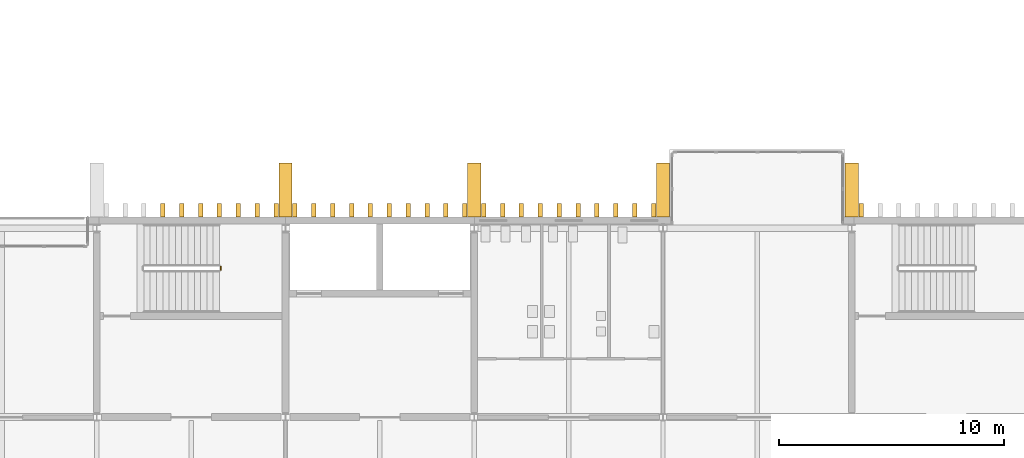
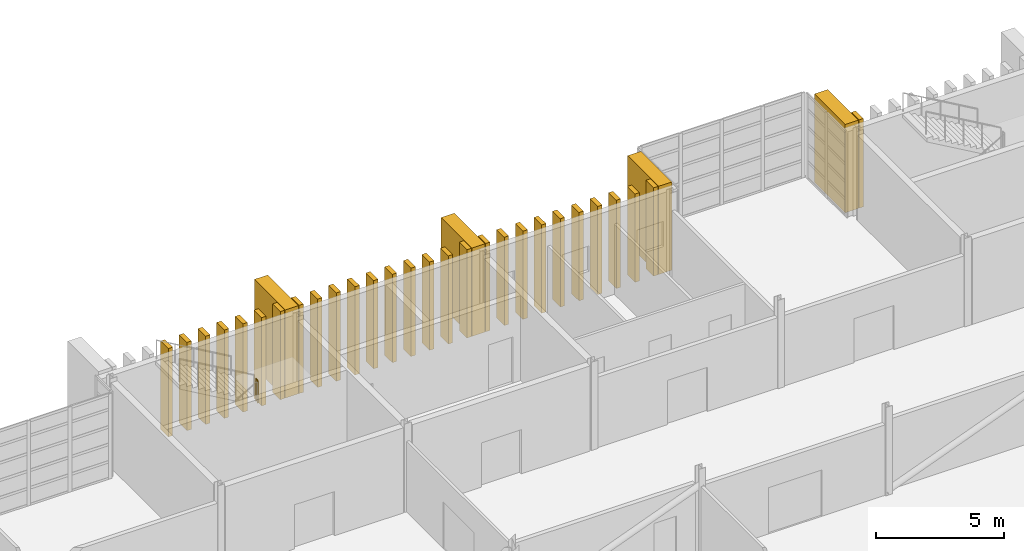
# One storey, part 94 of 100: 32 coverings, 1 railing.
"""IFC4 building model written with IfcOpenShell, lengths in metres."""

from ifc_helpers import new_model, si_unit, direction, frame, origin, origin_2d, place, context, subcontext, project, spatial, rectangle, circle, extrude, material, type_object, element, save


model = new_model("IFC4")

# Units and contexts
model_context = context("Model", 3, precision=1e-05, world=origin(), true_north=direction((0.0, 1.0)))
body_context = subcontext(model_context, "Body", "Model", "MODEL_VIEW")
ifc_project = project(units=[si_unit("LENGTHUNIT", "METRE"), si_unit("AREAUNIT", "SQUARE_METRE"), si_unit("VOLUMEUNIT", "CUBIC_METRE"), si_unit("PLANEANGLEUNIT", "RADIAN"), si_unit("MASSUNIT", "GRAM", prefix="KILO")], contexts=[model_context])

# Site, building, storey
site_placement = place(None, origin())
site = spatial("IfcSite", under=ifc_project, at=site_placement, CompositionType="ELEMENT")
building_placement = place(site_placement, origin())
building = spatial("IfcBuilding", under=site, at=building_placement, Name="Cresset Court Congress Hotel", CompositionType="ELEMENT")
storey_placement = place(building_placement, frame((0.0, 0.0, 10.199951171875)))
storey = spatial("IfcBuildingStorey", under=building, at=storey_placement, Name="L02", CompositionType="ELEMENT", Elevation=10.199951171875)

# Railing
ifc_material_1 = material(Name="Steel and laminated glass", Category="steel")
railing_type = type_object("IfcRailingType", Name="Guard 1100 steel and glass", PredefinedType="GUARDRAIL", material=ifc_material_1)
railing_placement = place(storey_placement, frame((106.31005859375, 23.35009765625, 2.10009765625)))
element("IfcRailing", 1, at=railing_placement, inside=storey, type_object=railing_type, Name="L02 ST-B4 stair guard 2", PredefinedType="GUARDRAIL", context=body_context, shape_type="SweptSolid", body=[
    extrude(circle(Radius=0.02392578125, at=origin_2d()), frame((0.0, 0.0, 1.076171875), z_axis=(0.0, 1.0, 0.0), x_axis=(-1.0, 0.0, 0.0)), (0.0, 0.0, 1.0), 0.14990234375),
    extrude(circle(Radius=0.02099609375, at=origin_2d()), origin(), (0.0, 0.0, 1.0), 1.052001953125),
    extrude(circle(Radius=0.02099609375, at=origin_2d()), frame((0.0, 0.14990234375, 0.0)), (0.0, 0.0, 1.0), 1.052001953125),
])

# Coverings
ifc_material_2 = material(Name="Precast concrete C50", Category="concrete")
covering_type_1 = type_object("IfcCoveringType", Name="Precast stone fin 200x600 variant 1", PredefinedType="CLADDING", material=ifc_material_2)
for number, where, z_axis, x_axis, name in (
    (2, (103.739990234375, 26.0, 0.0), (0.0, 0.0, 1.0), (1.0, 0.0, 0.0), "Fin N02-113"),
    (3, (104.580078125, 26.0, 0.0), (0.0, 0.0, 1.0), (1.0, 0.0, 0.0), "Fin N02-114"),
    (4, (105.419921875, 26.0, 0.0), (0.0, 0.0, 1.0), (1.0, 0.0, 0.0), "Fin N02-115"),
    (5, (106.260009765625, 26.0, 0.0), (0.0, 0.0, 1.0), (1.0, 0.0, 0.0), "Fin N02-116"),
    (6, (107.10009765625, 26.0, 0.0), (0.0, 0.0, 1.0), (1.0, 0.0, 0.0), "Fin N02-117"),
    (7, (107.93994140625, 26.0, 0.0), (0.0, 0.0, 1.0), (1.0, 0.0, 0.0), "Fin N02-118"),
    (8, (108.780029296875, 26.0, 0.0), (0.0, 0.0, 1.0), (1.0, 0.0, 0.0), "Fin N02-119"),
    (9, (109.6201171875, 26.0, 0.0), (0.0, 0.0, 1.0), (1.0, 0.0, 0.0), "Fin N02-120"),
    (10, (110.4599609375, 26.0, 0.0), (0.0, 0.0, 1.0), (1.0, 0.0, 0.0), "Fin N02-121"),
    (11, (111.300048828125, 26.0, 0.0), (0.0, 0.0, 1.0), (1.0, 0.0, 0.0), "Fin N02-122"),
    (12, (112.139892578125, 26.0, 0.0), (0.0, 0.0, 1.0), (1.0, 0.0, 0.0), "Fin N02-123"),
    (13, (112.97998046875, 26.0, 0.0), (0.0, 0.0, 1.0), (1.0, 0.0, 0.0), "Fin N02-124"),
    (14, (113.820068359375, 26.0, 0.0), (0.0, 0.0, 1.0), (1.0, 0.0, 0.0), "Fin N02-125"),
    (15, (114.659912109375, 26.0, 0.0), (0.0, 0.0, 1.0), (1.0, 0.0, 0.0), "Fin N02-126"),
    (16, (115.5, 26.0, 0.0), (0.0, 0.0, 1.0), (1.0, 0.0, 0.0), "Fin N02-127"),
    (17, (116.340087890625, 26.0, 0.0), (0.0, 0.0, 1.0), (1.0, 0.0, 0.0), "Fin N02-128"),
    (18, (117.179931640625, 26.0, 0.0), (0.0, 0.0, 1.0), (1.0, 0.0, 0.0), "Fin N02-129"),
    (19, (118.02001953125, 26.0, 0.0), (0.0, 0.0, 1.0), (1.0, 0.0, 0.0), "Fin N02-130"),
    (20, (118.860107421875, 26.0, 0.0), (0.0, 0.0, 1.0), (1.0, 0.0, 0.0), "Fin N02-131"),
    (21, (119.699951171875, 26.0, 0.0), (0.0, 0.0, 1.0), (1.0, 0.0, 0.0), "Fin N02-132"),
    (22, (120.5400390625, 26.0, 0.0), (0.0, 0.0, 1.0), (1.0, 0.0, 0.0), "Fin N02-133"),
    (23, (121.3798828125, 26.0, 0.0), (0.0, 0.0, 1.0), (1.0, 0.0, 0.0), "Fin N02-134"),
    (24, (122.219970703125, 26.0, 0.0), (0.0, 0.0, 1.0), (1.0, 0.0, 0.0), "Fin N02-135"),
    (25, (123.06005859375, 26.0, 0.0), (0.0, 0.0, 1.0), (1.0, 0.0, 0.0), "Fin N02-136"),
    (26, (123.89990234375, 26.0, 0.0), (0.0, 0.0, 1.0), (1.0, 0.0, 0.0), "Fin N02-137"),
    (27, (124.739990234375, 26.0, 0.0), (0.0, 0.0, 1.0), (1.0, 0.0, 0.0), "Fin N02-138"),
    (28, (125.580078125, 26.0, 0.0), (0.0, 0.0, 1.0), (1.0, 0.0, 0.0), "Fin N02-139"),
    (29, (134.820068359375, 26.0, 0.0), (0.0, 0.0, 1.0), (1.0, 0.0, 0.0), "Fin N02-150"),
):
    element("IfcCovering", number, at=place(storey_placement, frame(where, z_axis=z_axis, x_axis=x_axis)), inside=storey, type_object=covering_type_1, Name=name, PredefinedType="CLADDING", context=body_context, shape_type="SweptSolid", body=[
        extrude(rectangle(XDim=0.199951171875, YDim=0.60009765625, at=origin_2d()), origin(), (0.0, 0.0, 1.0), 4.199951171875),
    ])
ifc_material_3 = material(Name="Precast concrete C50", Category="concrete")
covering_type_2 = type_object("IfcCoveringType", Name="Precast stone pier 600x2400", PredefinedType="CLADDING", material=ifc_material_3)
for number, where, z_axis, x_axis, name in (
    (30, (109.199951171875, 26.89990234375, 0.0), (0.0, 0.0, 1.0), (1.0, 0.0, 0.0), "Pier N02-12"),
    (31, (117.60009765625, 26.89990234375, 0.0), (0.0, 0.0, 1.0), (1.0, 0.0, 0.0), "Pier N02-13"),
    (32, (126.0, 26.89990234375, 0.0), (0.0, 0.0, 1.0), (1.0, 0.0, 0.0), "Pier N02-14"),
    (33, (134.39990234375, 26.89990234375, 0.0), (0.0, 0.0, 1.0), (1.0, 0.0, 0.0), "Pier N02-15"),
):
    element("IfcCovering", number, at=place(storey_placement, frame(where, z_axis=z_axis, x_axis=x_axis)), inside=storey, type_object=covering_type_2, Name=name, PredefinedType="CLADDING", context=body_context, shape_type="SweptSolid", body=[
        extrude(rectangle(XDim=0.60009765625, YDim=2.39990234375, at=origin_2d()), origin(), (0.0, 0.0, 1.0), 4.199951171875),
    ])

save(model, "model.ifc")
